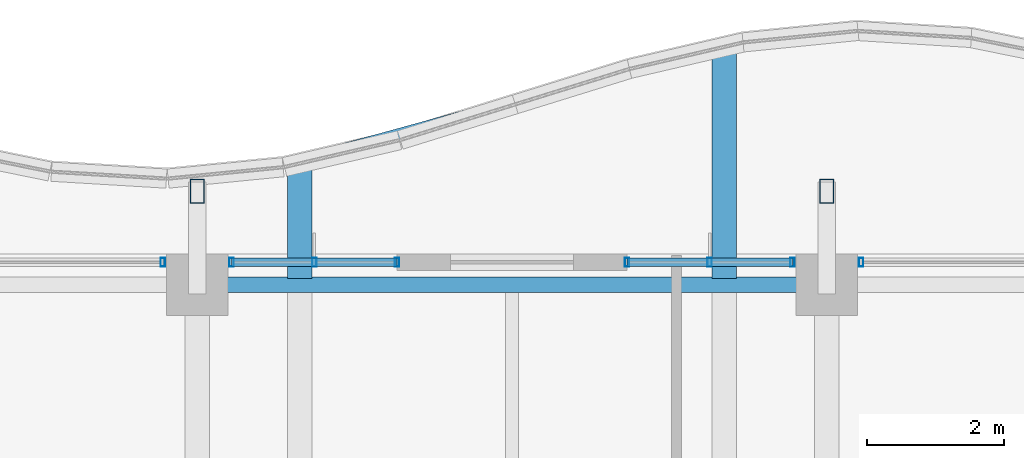
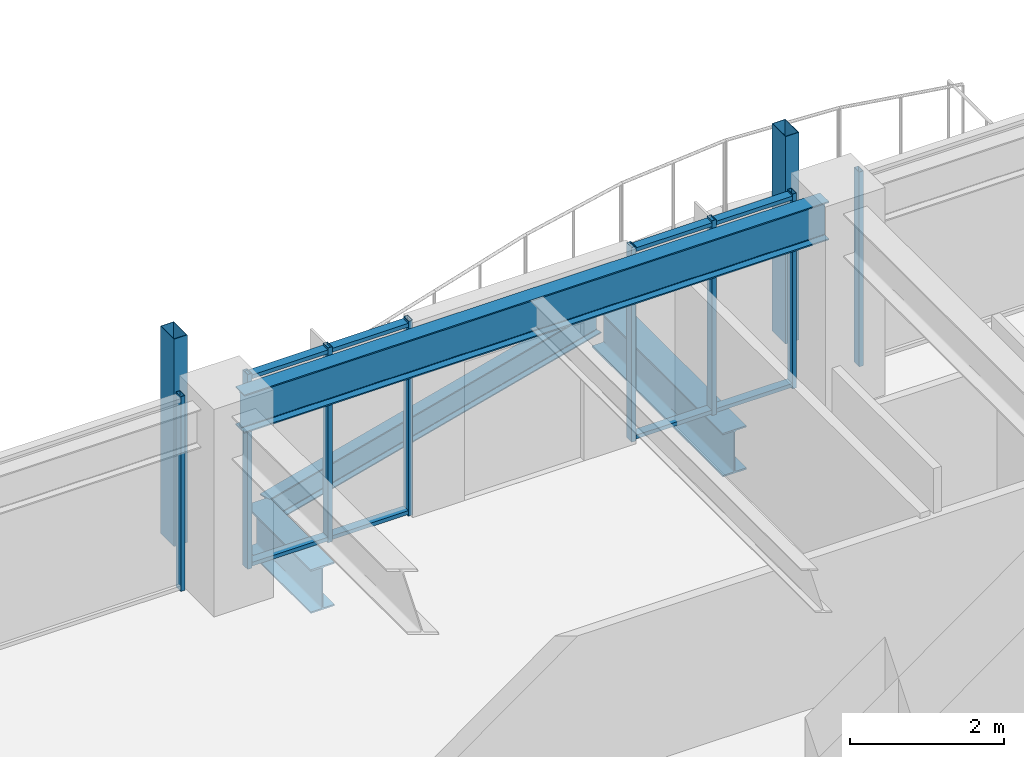
# One storey, part 19 of 34: 14 members, 4 beams, 4 elements without a shape of their own.
"""IFC4 building model written with IfcOpenShell, lengths in metres."""

from ifc_helpers import new_model, si_unit, direction, frame, origin, origin_2d, place, context, subcontext, project, spatial, hollow_rectangle, i_section, extrude, material, material_profile, profile_set, type_object, element, aggregate, save


model = new_model("IFC4")

# Units and contexts
model_context = context("Model", 3, precision=1e-05, world=origin(), true_north=direction((0.0, 1.0)))
body_context = subcontext(model_context, "Body", "Model", "MODEL_VIEW")
ifc_project = project(units=[si_unit("LENGTHUNIT", "METRE"), si_unit("AREAUNIT", "SQUARE_METRE"), si_unit("VOLUMEUNIT", "CUBIC_METRE"), si_unit("PLANEANGLEUNIT", "RADIAN"), si_unit("MASSUNIT", "GRAM", prefix="KILO")], contexts=[model_context])

# Site, building, storey
site_placement = place(None, origin())
site = spatial("IfcSite", under=ifc_project, at=site_placement, CompositionType="ELEMENT")
building_placement = place(site_placement, origin())
building = spatial("IfcBuilding", under=site, at=building_placement, Name="Kolvaren Belvedere", CompositionType="ELEMENT")
storey_placement = place(building_placement, frame((0.0, 0.0, 166.800048828125)))
storey = spatial("IfcBuildingStorey", under=building, at=storey_placement, Name="L48", CompositionType="ELEMENT", Elevation=166.800048828125)

# Beams
ifc_material_1 = material(Name="Structural steel ASTM A992 Grade 50", Category="steel")
ifc_material_profile_1 = material_profile(ifc_material_1, i_section(OverallWidth=0.35498046875, OverallDepth=0.696044921875, WebThickness=0.015380859375, FlangeThickness=0.02490234375, FilletRadius=0.02197265625, at=origin_2d()), Name="W27X146")
ifc_profile_set_1 = profile_set([ifc_material_profile_1], Name="Structural steel ASTM A992 Grade 50")
beam_type_1 = type_object("IfcBeamType", Name="BM-CANT-BAL", PredefinedType="BEAM", material=ifc_profile_set_1)
beam_1_placement = place(storey_placement, frame((-3.10009765625, 18.7451171875, -0.548095703125), z_axis=(0.0, 1.0, 0.0), x_axis=(-1.0, 0.0, 0.0)))
element("IfcBeam", 1, at=beam_1_placement, inside=storey, type_object=beam_type_1, Name="L48 Planted Balcony Cantilever BAL-N-1", PredefinedType="BEAM", context=body_context, shape_type="SweptSolid", body=[
    extrude(i_section(OverallWidth=0.35498046875, OverallDepth=0.696044921875, WebThickness=0.015380859375, FlangeThickness=0.02490234375, FilletRadius=0.02197265625, at=origin_2d()), origin(), (0.0, 0.0, 1.0), 1.70361328125),
])
beam_2_placement = place(storey_placement, frame((3.10009765625, 18.7451171875, -0.548095703125), z_axis=(0.0, 1.0, 0.0), x_axis=(-1.0, 0.0, 0.0)))
element("IfcBeam", 2, at=beam_2_placement, inside=storey, type_object=beam_type_1, Name="L48 Planted Balcony Cantilever BAL-N-2", PredefinedType="BEAM", context=body_context, shape_type="SweptSolid", body=[
    extrude(i_section(OverallWidth=0.35498046875, OverallDepth=0.696044921875, WebThickness=0.015380859375, FlangeThickness=0.02490234375, FilletRadius=0.02197265625, at=origin_2d()), origin(), (0.0, 0.0, 1.0), 3.40625),
])
ifc_material_2 = material(Name="Structural steel ASTM A992 Grade 50", Category="steel")
ifc_material_profile_2 = material_profile(ifc_material_2, i_section(OverallWidth=0.180908203125, OverallDepth=0.4169921875, WebThickness=0.010986328125, FlangeThickness=0.018310546875, FilletRadius=0.013916015625, at=origin_2d()), Name="W16X57")
ifc_profile_set_2 = profile_set([ifc_material_profile_2], Name="Structural steel ASTM A992 Grade 50")
beam_type_2 = type_object("IfcBeamType", Name="BM-EDGE-W16X57", PredefinedType="BEAM", material=ifc_profile_set_2)
beam_3_placement = place(storey_placement, frame((-2.965087890625, 20.48583984375, -0.408447265625), z_axis=(0.964304286407, 0.26479660726, 0.0), x_axis=(-0.26479660726, 0.964304286407, 0.0)))
element("IfcBeam", 3, at=beam_3_placement, inside=storey, type_object=beam_type_2, Name="L48 Balcony Tip Header Beam BAL-N", PredefinedType="BEAM", context=body_context, shape_type="SweptSolid", body=[
    extrude(i_section(OverallWidth=0.180908203125, OverallDepth=0.4169921875, WebThickness=0.010986328125, FlangeThickness=0.018310546875, FilletRadius=0.013916015625, at=origin_2d()), origin(), (0.0, 0.0, 1.0), 6.149658203125),
])
ifc_material_3 = material(Name="Structural steel ASTM A992 Grade 50", Category="steel")
ifc_material_profile_3 = material_profile(ifc_material_3, i_section(OverallWidth=0.22900390625, OverallDepth=0.612060546875, WebThickness=0.011962890625, FlangeThickness=0.01953125, FilletRadius=0.01806640625, at=origin_2d()), Name="W24X84")
ifc_profile_set_3 = profile_set([ifc_material_profile_3], Name="Structural steel ASTM A992 Grade 50")
beam_type_3 = type_object("IfcBeamType", Name="BM-SPAN-W24X84", PredefinedType="SPANDREL", material=ifc_profile_set_3)
beam_4_placement = place(storey_placement, frame((4.3974609375, 18.64990234375, 2.7939453125), z_axis=(-1.0, 0.0, 0.0), x_axis=(0.0, -1.0, 0.0)))
element("IfcBeam", 4, at=beam_4_placement, inside=storey, type_object=beam_type_3, Name="L48 Perimeter Spandrel N3-N2", PredefinedType="SPANDREL", context=body_context, shape_type="SweptSolid", body=[
    extrude(i_section(OverallWidth=0.22900390625, OverallDepth=0.612060546875, WebThickness=0.011962890625, FlangeThickness=0.01953125, FilletRadius=0.01806640625, at=origin_2d()), origin(), (0.0, 0.0, 1.0), 8.794921875),
])

# Curtain wall, member
ifc_material_4 = material(Name="Anodised pale-metal aluminium AA 6063-T6", Category="aluminium")
curtain_wall_type = type_object("IfcCurtainWallType", Name="CW-Z3-WAIST", PredefinedType="NOTDEFINED", material=ifc_material_4)
curtain_wall_1_placement = place(storey_placement, origin())
curtain_wall_1 = element("IfcCurtainWall", 5, at=curtain_wall_1_placement, inside=storey, type_object=curtain_wall_type, Name="L48 Unitised Curtain Wall FCW-L48-N1-B1", PredefinedType="NOTDEFINED")
ifc_material_5 = material(Name="Anodised pale-metal aluminium AA 6063-T6", Category="aluminium")
ifc_material_profile_4 = material_profile(ifc_material_5, hollow_rectangle(XDim=0.06494140625, YDim=0.1298828125, WallThickness=0.00390625, at=origin_2d()), Name="ALU-MUL-130X65")
ifc_profile_set_4 = profile_set([ifc_material_profile_4], Name="Anodised pale-metal aluminium AA 6063-T6")
member_type_1 = type_object("IfcMemberType", Name="CW-MUL-130", PredefinedType="MULLION", material=ifc_profile_set_4)
member_1_placement = place(storey_placement, frame((-5.1025390625, 18.97998046875, 0.0), z_axis=(0.0, 0.0, 1.0), x_axis=(1.0, 0.0, 0.0)))
member_1 = element("IfcMember", 6, at=member_1_placement, type_object=member_type_1, Name="FCW-L48-N1-B1 Unitised Mullion 3", PredefinedType="MULLION", context=body_context, shape_type="SweptSolid", body=[
    extrude(hollow_rectangle(XDim=0.06494140625, YDim=0.1298828125, WallThickness=0.00390625, at=origin_2d()), origin(), (0.0, 0.0, 1.0), 3.099853515625),
])
aggregate(curtain_wall_1, [member_1])

# Curtain wall, members
curtain_wall_2_placement = place(storey_placement, origin())
curtain_wall_2 = element("IfcCurtainWall", 7, at=curtain_wall_2_placement, inside=storey, type_object=curtain_wall_type, Name="L48 Unitised Curtain Wall FCW-L48-N1-B2", PredefinedType="NOTDEFINED")
member_2_placement = place(storey_placement, frame((-4.097412109375, 18.97998046875, 0.0), z_axis=(0.0, 0.0, 1.0), x_axis=(1.0, 0.0, 0.0)))
member_2 = element("IfcMember", 8, at=member_2_placement, type_object=member_type_1, Name="FCW-L48-N1-B2 Unitised Mullion 1", PredefinedType="MULLION", context=body_context, shape_type="SweptSolid", body=[
    extrude(hollow_rectangle(XDim=0.06494140625, YDim=0.1298828125, WallThickness=0.00390625, at=origin_2d()), origin(), (0.0, 0.0, 1.0), 3.099853515625),
])
member_3_placement = place(storey_placement, frame((-2.888671875, 18.97998046875, 0.0), z_axis=(0.0, 0.0, 1.0), x_axis=(1.0, 0.0, 0.0)))
member_3 = element("IfcMember", 9, at=member_3_placement, type_object=member_type_1, Name="FCW-L48-N1-B2 Unitised Mullion 2", PredefinedType="MULLION", context=body_context, shape_type="SweptSolid", body=[
    extrude(hollow_rectangle(XDim=0.06494140625, YDim=0.1298828125, WallThickness=0.00390625, at=origin_2d()), origin(), (0.0, 0.0, 1.0), 3.099853515625),
])
member_4_placement = place(storey_placement, frame((-1.679931640625, 18.97998046875, 0.0), z_axis=(0.0, 0.0, 1.0), x_axis=(1.0, 0.0, 0.0)))
member_4 = element("IfcMember", 10, at=member_4_placement, type_object=member_type_1, Name="FCW-L48-N1-B2 Unitised Mullion 3", PredefinedType="MULLION", context=body_context, shape_type="SweptSolid", body=[
    extrude(hollow_rectangle(XDim=0.06494140625, YDim=0.1298828125, WallThickness=0.00390625, at=origin_2d()), origin(), (0.0, 0.0, 1.0), 3.099853515625),
])

curtain_wall_3_placement = place(storey_placement, origin())
curtain_wall_3 = element("IfcCurtainWall", 11, at=curtain_wall_3_placement, inside=storey, type_object=curtain_wall_type, Name="L48 Unitised Curtain Wall FCW-L48-N2-B1", PredefinedType="NOTDEFINED")
member_5_placement = place(storey_placement, frame((1.679931640625, 18.97998046875, 0.0), z_axis=(0.0, 0.0, 1.0), x_axis=(1.0, 0.0, 0.0)))
member_5 = element("IfcMember", 12, at=member_5_placement, type_object=member_type_1, Name="FCW-L48-N2-B1 Unitised Mullion 1", PredefinedType="MULLION", context=body_context, shape_type="SweptSolid", body=[
    extrude(hollow_rectangle(XDim=0.06494140625, YDim=0.1298828125, WallThickness=0.00390625, at=origin_2d()), origin(), (0.0, 0.0, 1.0), 3.099853515625),
])
member_6_placement = place(storey_placement, frame((2.888671875, 18.97998046875, 0.0), z_axis=(0.0, 0.0, 1.0), x_axis=(1.0, 0.0, 0.0)))
member_6 = element("IfcMember", 13, at=member_6_placement, type_object=member_type_1, Name="FCW-L48-N2-B1 Unitised Mullion 2", PredefinedType="MULLION", context=body_context, shape_type="SweptSolid", body=[
    extrude(hollow_rectangle(XDim=0.06494140625, YDim=0.1298828125, WallThickness=0.00390625, at=origin_2d()), origin(), (0.0, 0.0, 1.0), 3.099853515625),
])
member_7_placement = place(storey_placement, frame((4.097412109375, 18.97998046875, 0.0), z_axis=(0.0, 0.0, 1.0), x_axis=(1.0, 0.0, 0.0)))
member_7 = element("IfcMember", 14, at=member_7_placement, type_object=member_type_1, Name="FCW-L48-N2-B1 Unitised Mullion 3", PredefinedType="MULLION", context=body_context, shape_type="SweptSolid", body=[
    extrude(hollow_rectangle(XDim=0.06494140625, YDim=0.1298828125, WallThickness=0.00390625, at=origin_2d()), origin(), (0.0, 0.0, 1.0), 3.099853515625),
])

# Curtain wall, member
curtain_wall_4_placement = place(storey_placement, origin())
curtain_wall_4 = element("IfcCurtainWall", 15, at=curtain_wall_4_placement, inside=storey, type_object=curtain_wall_type, Name="L48 Unitised Curtain Wall FCW-L48-N2-B2", PredefinedType="NOTDEFINED")
member_8_placement = place(storey_placement, frame((5.1025390625, 18.97998046875, 0.0), z_axis=(0.0, 0.0, 1.0), x_axis=(1.0, 0.0, 0.0)))
member_8 = element("IfcMember", 16, at=member_8_placement, type_object=member_type_1, Name="FCW-L48-N2-B2 Unitised Mullion 1", PredefinedType="MULLION", context=body_context, shape_type="SweptSolid", body=[
    extrude(hollow_rectangle(XDim=0.06494140625, YDim=0.1298828125, WallThickness=0.00390625, at=origin_2d()), origin(), (0.0, 0.0, 1.0), 3.099853515625),
])
aggregate(curtain_wall_4, [member_8])

# Member
ifc_material_6 = material(Name="Anodised pale-metal aluminium AA 6063-T6", Category="aluminium")
ifc_material_profile_5 = material_profile(ifc_material_6, hollow_rectangle(XDim=0.06005859375, YDim=0.1298828125, WallThickness=0.00390625, at=origin_2d()), Name="ALU-TRN-130X60")
ifc_profile_set_5 = profile_set([ifc_material_profile_5], Name="Anodised pale-metal aluminium AA 6063-T6")
member_type_2 = type_object("IfcMemberType", Name="CW-TRN-130", PredefinedType="USERDEFINED", material=ifc_profile_set_5)
member_9_placement = place(storey_placement, frame((-4.097412109375, 18.97998046875, 0.06005859375), z_axis=(1.0, 0.0, 0.0), x_axis=(0.0, 0.0, 1.0)))
member_9 = element("IfcMember", 17, at=member_9_placement, type_object=member_type_2, Name="FCW-L48-N1-B2 Sill Transom", ObjectType="TRANSOM", PredefinedType="USERDEFINED", context=body_context, shape_type="SweptSolid", body=[
    extrude(hollow_rectangle(XDim=0.06005859375, YDim=0.1298828125, WallThickness=0.00390625, at=origin_2d()), origin(), (0.0, 0.0, 1.0), 2.41748046875),
])

member_10_placement = place(storey_placement, frame((-4.097412109375, 18.97998046875, 3.0400390625), z_axis=(1.0, 0.0, 0.0), x_axis=(0.0, 0.0, 1.0)))
member_10 = element("IfcMember", 18, at=member_10_placement, type_object=member_type_2, Name="FCW-L48-N1-B2 Head Transom", ObjectType="TRANSOM", PredefinedType="USERDEFINED", context=body_context, shape_type="SweptSolid", body=[
    extrude(hollow_rectangle(XDim=0.06005859375, YDim=0.1298828125, WallThickness=0.00390625, at=origin_2d()), origin(), (0.0, 0.0, 1.0), 2.41748046875),
])

aggregate(curtain_wall_2, [member_2, member_3, member_4, member_9, member_10])

member_11_placement = place(storey_placement, frame((1.679931640625, 18.97998046875, 0.06005859375), z_axis=(1.0, 0.0, 0.0), x_axis=(0.0, 0.0, 1.0)))
member_11 = element("IfcMember", 19, at=member_11_placement, type_object=member_type_2, Name="FCW-L48-N2-B1 Sill Transom", ObjectType="TRANSOM", PredefinedType="USERDEFINED", context=body_context, shape_type="SweptSolid", body=[
    extrude(hollow_rectangle(XDim=0.06005859375, YDim=0.1298828125, WallThickness=0.00390625, at=origin_2d()), origin(), (0.0, 0.0, 1.0), 2.41748046875),
])

member_12_placement = place(storey_placement, frame((1.679931640625, 18.97998046875, 3.0400390625), z_axis=(1.0, 0.0, 0.0), x_axis=(0.0, 0.0, 1.0)))
member_12 = element("IfcMember", 20, at=member_12_placement, type_object=member_type_2, Name="FCW-L48-N2-B1 Head Transom", ObjectType="TRANSOM", PredefinedType="USERDEFINED", context=body_context, shape_type="SweptSolid", body=[
    extrude(hollow_rectangle(XDim=0.06005859375, YDim=0.1298828125, WallThickness=0.00390625, at=origin_2d()), origin(), (0.0, 0.0, 1.0), 2.41748046875),
])

aggregate(curtain_wall_3, [member_5, member_6, member_7, member_11, member_12])

# Members
ifc_material_7 = material(Name="Anodised pale-metal aluminium AA 6063-T6", Category="aluminium")
ifc_material_profile_6 = material_profile(ifc_material_7, hollow_rectangle(XDim=0.199951171875, YDim=0.35009765625, WallThickness=0.007568359375, at=origin_2d()), Name="ALU-PF-350X200")
ifc_profile_set_6 = profile_set([ifc_material_profile_6], Name="Anodised pale-metal aluminium AA 6063-T6")
member_type_3 = type_object("IfcMemberType", Name="PF-FRAME-350", PredefinedType="USERDEFINED", material=ifc_profile_set_6)
for number, where, z_axis, x_axis, name in (
    (21, (-4.60009765625, 20.02001953125, 0.0), (0.0, 0.0, 1.0), (1.0, 0.0, 0.0), "L48 Outboard Picture-Frame Vertical N1"),
    (22, (4.60009765625, 20.02001953125, 0.0), (0.0, 0.0, 1.0), (1.0, 0.0, 0.0), "L48 Outboard Picture-Frame Vertical N2"),
):
    element("IfcMember", number, at=place(storey_placement, frame(where, z_axis=z_axis, x_axis=x_axis)), inside=storey, type_object=member_type_3, Name=name, ObjectType="PICTURE FRAME FIN", PredefinedType="USERDEFINED", context=body_context, shape_type="SweptSolid", body=[
        extrude(hollow_rectangle(XDim=0.199951171875, YDim=0.35009765625, WallThickness=0.007568359375, at=origin_2d()), origin(), (0.0, 0.0, 1.0), 3.300048828125),
    ])

save(model, "model.ifc")
